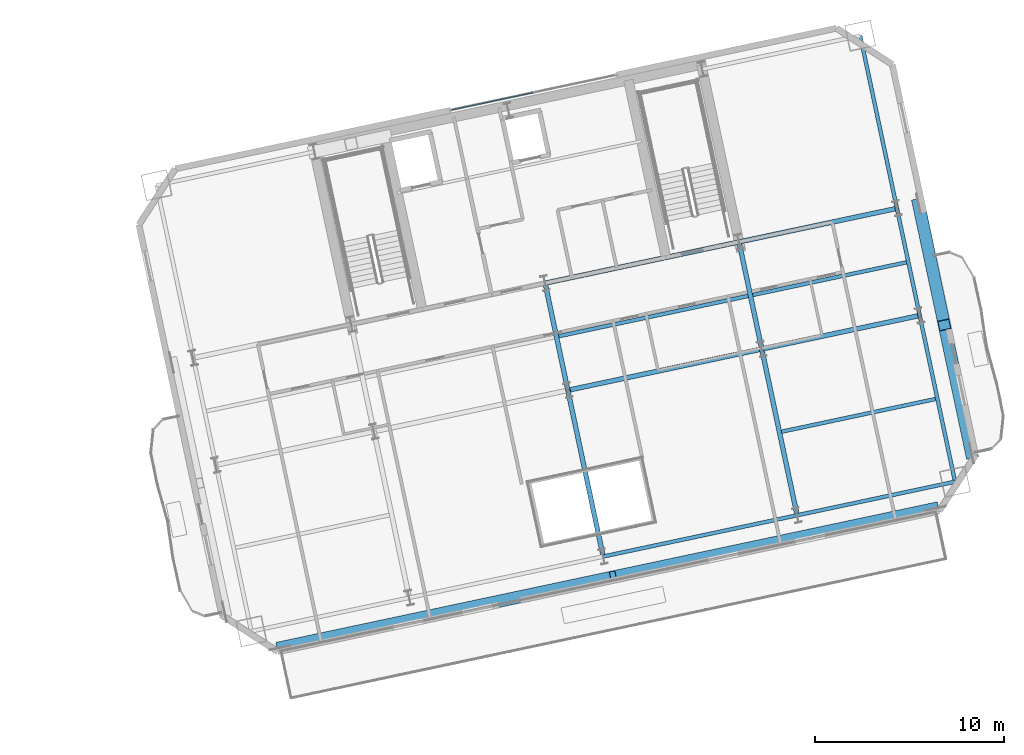
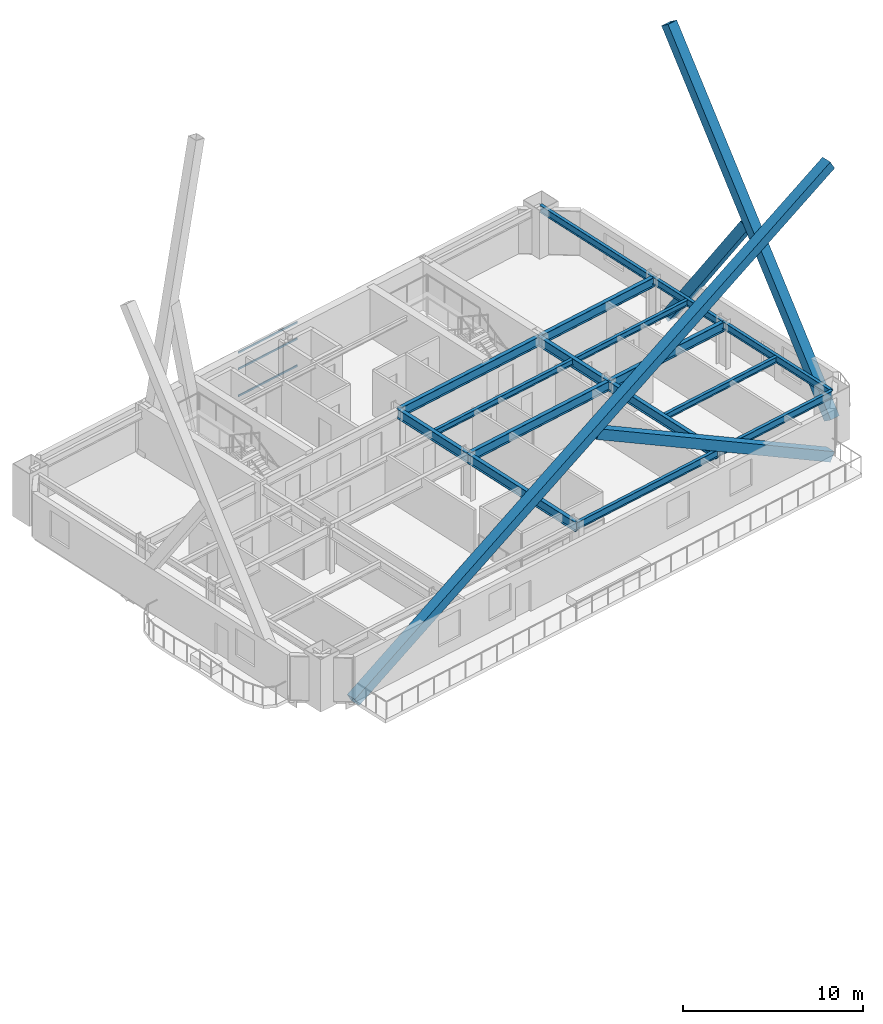
# One storey, part 7 of 22: 16 beams, 7 members, 1 element without a shape of its own.
"""IFC4 building model written with IfcOpenShell, lengths in metres."""

from ifc_helpers import new_model, si_unit, direction, frame, origin, origin_2d, place, context, subcontext, project, spatial, hollow_rectangle, i_section, extrude, material, layer, layer_set, material_profile, profile_set, type_object, element, aggregate, save


model = new_model("IFC4")

# Units and contexts
model_context = context("Model", 3, precision=1e-05, world=origin(), true_north=direction((0.0, 1.0)))
body_context = subcontext(model_context, "Body", "Model", "MODEL_VIEW")
ifc_project = project(units=[si_unit("LENGTHUNIT", "METRE"), si_unit("AREAUNIT", "SQUARE_METRE"), si_unit("VOLUMEUNIT", "CUBIC_METRE"), si_unit("PLANEANGLEUNIT", "RADIAN"), si_unit("MASSUNIT", "GRAM", prefix="KILO")], contexts=[model_context])

# Site, building, storey
site_placement = place(None, origin())
site = spatial("IfcSite", under=ifc_project, at=site_placement, CompositionType="ELEMENT")
building_placement = place(site_placement, origin())
building = spatial("IfcBuilding", under=site, at=building_placement, Name="Haevon Station Towers", CompositionType="ELEMENT")
storey_placement = place(building_placement, frame((0.0, 0.0, 93.300048828125)))
storey = spatial("IfcBuildingStorey", under=building, at=storey_placement, Name="L24", CompositionType="ELEMENT", Elevation=93.300048828125)

# Beams
ifc_material_1 = material(Name="Steel S355", Category="steel")
ifc_material_profile_1 = material_profile(ifc_material_1, i_section(OverallWidth=0.25, OverallDepth=0.64990234375, WebThickness=0.012939453125, FlangeThickness=0.02197265625, at=origin_2d()), Name="H-650x250x13x22")
ifc_profile_set_1 = profile_set([ifc_material_profile_1], Name="Steel S355")
beam_type_1 = type_object("IfcBeamType", Name="BM-G650", PredefinedType="BEAM", material=ifc_profile_set_1)
beam_1_placement = place(storey_placement, frame((110.228759765625, 33.9521484375, 2.724853515625), z_axis=(0.978146794194, 0.207915485254, 0.0), x_axis=(-0.207915485254, 0.978146794194, 0.0)))
element("IfcBeam", 1, at=beam_1_placement, inside=storey, type_object=beam_type_1, Name="BM-T2U-L24-02-03", PredefinedType="BEAM", context=body_context, shape_type="SweptSolid", body=[
    extrude(i_section(OverallWidth=0.25, OverallDepth=0.64990234375, WebThickness=0.012939453125, FlangeThickness=0.02197265625, at=origin_2d()), origin(), (0.0, 0.0, 1.0), 10.5),
])
beam_2_placement = place(storey_placement, frame((120.499267578125, 36.13525390625, 2.724853515625), z_axis=(0.978149560998, 0.207902468287, 0.0), x_axis=(-0.207902468287, 0.978149560998, 0.0)))
element("IfcBeam", 2, at=beam_2_placement, inside=storey, type_object=beam_type_1, Name="BM-T2U-L24-02-04", PredefinedType="BEAM", context=body_context, shape_type="SweptSolid", body=[
    extrude(i_section(OverallWidth=0.25, OverallDepth=0.64990234375, WebThickness=0.012939453125, FlangeThickness=0.02197265625, at=origin_2d()), origin(), (0.0, 0.0, 1.0), 8.550048828125),
])
beam_3_placement = place(storey_placement, frame((109.02294921875, 39.62548828125, 2.724853515625), z_axis=(0.978146794194, 0.207915485254, 0.0), x_axis=(-0.207915485254, 0.978146794194, 0.0)))
element("IfcBeam", 3, at=beam_3_placement, inside=storey, type_object=beam_type_1, Name="BM-T2U-L24-03-03", PredefinedType="BEAM", context=body_context, shape_type="SweptSolid", body=[
    extrude(i_section(OverallWidth=0.25, OverallDepth=0.64990234375, WebThickness=0.012939453125, FlangeThickness=0.02197265625, at=origin_2d()), origin(), (0.0, 0.0, 1.0), 10.5),
])
beam_4_placement = place(storey_placement, frame((119.29345703125, 41.80859375, 2.724853515625), z_axis=(0.978148326739, 0.2079082752, 0.0), x_axis=(-0.2079082752, 0.978148326739, 0.0)))
element("IfcBeam", 4, at=beam_4_placement, inside=storey, type_object=beam_type_1, Name="BM-T2U-L24-03-04", PredefinedType="BEAM", context=body_context, shape_type="SweptSolid", body=[
    extrude(i_section(OverallWidth=0.25, OverallDepth=0.64990234375, WebThickness=0.012939453125, FlangeThickness=0.02197265625, at=origin_2d()), origin(), (0.0, 0.0, 1.0), 8.5498046875),
])
beam_5_placement = place(storey_placement, frame((112.10009765625, 25.14892578125, 2.724853515625), z_axis=(-0.207928184753, 0.978144094694, 0.0), x_axis=(-0.978144094694, -0.207928184753, 0.0)))
element("IfcBeam", 5, at=beam_5_placement, inside=storey, type_object=beam_type_1, Name="BM-T2V-L24-03-01", PredefinedType="BEAM", context=body_context, shape_type="SweptSolid", body=[
    extrude(i_section(OverallWidth=0.25, OverallDepth=0.64990234375, WebThickness=0.012939453125, FlangeThickness=0.02197265625, at=origin_2d()), origin(), (0.0, 0.0, 1.0), 9.0),
])
beam_6_placement = place(storey_placement, frame((110.228759765625, 33.9521484375, 2.724853515625), z_axis=(-0.207896009217, 0.97815093383, 0.0), x_axis=(-0.97815093383, -0.207896009217, 0.0)))
element("IfcBeam", 6, at=beam_6_placement, inside=storey, type_object=beam_type_1, Name="BM-T2V-L24-03-02", PredefinedType="BEAM", context=body_context, shape_type="SweptSolid", body=[
    extrude(i_section(OverallWidth=0.25, OverallDepth=0.64990234375, WebThickness=0.012939453125, FlangeThickness=0.02197265625, at=origin_2d()), origin(), (0.0, 0.0, 1.0), 5.800048828125),
])
beam_7_placement = place(storey_placement, frame((122.37060546875, 27.33203125, 2.724853515625), z_axis=(-0.207928184753, 0.978144094694, 0.0), x_axis=(-0.978144094694, -0.207928184753, 0.0)))
element("IfcBeam", 7, at=beam_7_placement, inside=storey, type_object=beam_type_1, Name="BM-T2V-L24-04-01", PredefinedType="BEAM", context=body_context, shape_type="SweptSolid", body=[
    extrude(i_section(OverallWidth=0.25, OverallDepth=0.64990234375, WebThickness=0.012939453125, FlangeThickness=0.02197265625, at=origin_2d()), origin(), (0.0, 0.0, 1.0), 9.0),
])
beam_8_placement = place(storey_placement, frame((120.499267578125, 36.13525390625, 2.724853515625), z_axis=(-0.207896009217, 0.97815093383, 0.0), x_axis=(-0.97815093383, -0.207896009217, 0.0)))
element("IfcBeam", 8, at=beam_8_placement, inside=storey, type_object=beam_type_1, Name="BM-T2V-L24-04-02", PredefinedType="BEAM", context=body_context, shape_type="SweptSolid", body=[
    extrude(i_section(OverallWidth=0.25, OverallDepth=0.64990234375, WebThickness=0.012939453125, FlangeThickness=0.02197265625, at=origin_2d()), origin(), (0.0, 0.0, 1.0), 5.800048828125),
])
ifc_material_profile_2 = material_profile(ifc_material_1, i_section(OverallWidth=0.199951171875, OverallDepth=0.39990234375, WebThickness=0.008056640625, FlangeThickness=0.012939453125, at=origin_2d()), Name="H-400x200x8x13")
ifc_profile_set_2 = profile_set([ifc_material_profile_2], Name="Steel S355")
beam_type_2 = type_object("IfcBeamType", Name="BM-J400", PredefinedType="JOIST", material=ifc_profile_set_2)
beam_9_placement = place(storey_placement, frame((121.54248046875, 31.756591796875, 2.849853515625), z_axis=(0.978146782292, 0.207915541247, 0.0), x_axis=(-0.207915541247, 0.978146782292, 0.0)))
element("IfcBeam", 9, at=beam_9_placement, inside=storey, type_object=beam_type_2, Name="BM-T2J-L24-01-04", PredefinedType="JOIST", context=body_context, shape_type="SweptSolid", body=[
    extrude(i_section(OverallWidth=0.199951171875, OverallDepth=0.39990234375, WebThickness=0.008056640625, FlangeThickness=0.012939453125, at=origin_2d()), origin(), (0.0, 0.0, 1.0), 8.330078125),
])
beam_10_placement = place(storey_placement, frame((109.7333984375, 36.811767578125, 2.849853515625), z_axis=(0.978150339653, 0.207898804801, 0.0), x_axis=(-0.207898804801, 0.978150339653, 0.0)))
element("IfcBeam", 10, at=beam_10_placement, inside=storey, type_object=beam_type_2, Name="BM-T2J-L24-02-03", PredefinedType="JOIST", context=body_context, shape_type="SweptSolid", body=[
    extrude(i_section(OverallWidth=0.199951171875, OverallDepth=0.39990234375, WebThickness=0.008056640625, FlangeThickness=0.012939453125, at=origin_2d()), origin(), (0.0, 0.0, 1.0), 10.280029296875),
])
beam_11_placement = place(storey_placement, frame((120.00390625, 38.994873046875, 2.849853515625), z_axis=(0.978146782292, 0.207915541247, 0.0), x_axis=(-0.207915541247, 0.978146782292, 0.0)))
element("IfcBeam", 11, at=beam_11_placement, inside=storey, type_object=beam_type_2, Name="BM-T2J-L24-02-04", PredefinedType="JOIST", context=body_context, shape_type="SweptSolid", body=[
    extrude(i_section(OverallWidth=0.199951171875, OverallDepth=0.39990234375, WebThickness=0.008056640625, FlangeThickness=0.012939453125, at=origin_2d()), origin(), (0.0, 0.0, 1.0), 8.330078125),
])
ifc_material_profile_3 = material_profile(ifc_material_1, i_section(OverallWidth=0.199951171875, OverallDepth=0.5, WebThickness=0.010009765625, FlangeThickness=0.01611328125, at=origin_2d()), Name="H-500x200x10x16")
ifc_profile_set_3 = profile_set([ifc_material_profile_3], Name="Steel S355")
beam_type_3 = type_object("IfcBeamType", Name="BM-SP500", PredefinedType="SPANDREL", material=ifc_profile_set_3)
beam_12_placement = place(storey_placement, frame((112.10009765625, 25.14892578125, 2.800048828125), z_axis=(0.978146794194, 0.207915485254, 0.0), x_axis=(-0.207915485254, 0.978146794194, 0.0)))
element("IfcBeam", 12, at=beam_12_placement, inside=storey, type_object=beam_type_3, Name="BM-T2U-L24-01-03", PredefinedType="SPANDREL", context=body_context, shape_type="SweptSolid", body=[
    extrude(i_section(OverallWidth=0.199951171875, OverallDepth=0.5, WebThickness=0.010009765625, FlangeThickness=0.01611328125, at=origin_2d()), origin(), (0.0, 0.0, 1.0), 10.5),
])
beam_13_placement = place(storey_placement, frame((122.37060546875, 27.33203125, 2.800048828125), z_axis=(0.978148326739, 0.2079082752, 0.0), x_axis=(-0.2079082752, 0.978148326739, 0.0)))
element("IfcBeam", 13, at=beam_13_placement, inside=storey, type_object=beam_type_3, Name="BM-T2U-L24-01-04", PredefinedType="SPANDREL", context=body_context, shape_type="SweptSolid", body=[
    extrude(i_section(OverallWidth=0.199951171875, OverallDepth=0.5, WebThickness=0.010009765625, FlangeThickness=0.01611328125, at=origin_2d()), origin(), (0.0, 0.0, 1.0), 8.5498046875),
])
beam_14_placement = place(storey_placement, frame((130.733642578125, 29.109619140625, 2.800048828125), z_axis=(-0.20790223038, 0.978149611564, 0.0), x_axis=(-0.978149611564, -0.20790223038, 0.0)))
element("IfcBeam", 14, at=beam_14_placement, inside=storey, type_object=beam_type_3, Name="BM-T2V-L24-05-01", PredefinedType="SPANDREL", context=body_context, shape_type="SweptSolid", body=[
    extrude(i_section(OverallWidth=0.199951171875, OverallDepth=0.5, WebThickness=0.010009765625, FlangeThickness=0.01611328125, at=origin_2d()), origin(), (0.0, 0.0, 1.0), 8.999755859375),
])
beam_15_placement = place(storey_placement, frame((128.862548828125, 37.912841796875, 2.800048828125), z_axis=(-0.207936282142, 0.978142373363, 0.0), x_axis=(-0.978142373363, -0.207936282142, 0.0)))
element("IfcBeam", 15, at=beam_15_placement, inside=storey, type_object=beam_type_3, Name="BM-T2V-L24-05-02", PredefinedType="SPANDREL", context=body_context, shape_type="SweptSolid", body=[
    extrude(i_section(OverallWidth=0.199951171875, OverallDepth=0.5, WebThickness=0.010009765625, FlangeThickness=0.01611328125, at=origin_2d()), origin(), (0.0, 0.0, 1.0), 5.800048828125),
])
beam_16_placement = place(storey_placement, frame((127.656494140625, 43.586181640625, 2.800048828125), z_axis=(-0.207897167074, 0.978150687738, 0.0), x_axis=(-0.978150687738, -0.207897167074, 0.0)))
element("IfcBeam", 16, at=beam_16_placement, inside=storey, type_object=beam_type_3, Name="BM-T2V-L24-05-03", PredefinedType="SPANDREL", context=body_context, shape_type="SweptSolid", body=[
    extrude(i_section(OverallWidth=0.199951171875, OverallDepth=0.5, WebThickness=0.010009765625, FlangeThickness=0.01611328125, at=origin_2d()), origin(), (0.0, 0.0, 1.0), 9.35009765625),
])

# Curtain wall, members
ifc_material_2 = material(Name="Anodised aluminium and Low-E double glazing", Category="aluminium")
ifc_layer = layer(ifc_material_2, 0.179931640625)
ifc_layer_set = layer_set([ifc_layer], Name="Anodised aluminium and Low-E double glazing")
curtain_wall_type = type_object("IfcCurtainWallType", Name="CW-SYS5", PredefinedType="NOTDEFINED", material=ifc_layer_set)
curtain_wall_placement = place(storey_placement, origin())
curtain_wall = element("IfcCurtainWall", 17, at=curtain_wall_placement, inside=storey, type_object=curtain_wall_type, Name="L24 Curtain Wall CW-T2-L24-N", PredefinedType="NOTDEFINED")
ifc_material_3 = material(Name="Anodised aluminium 6063-T6", Category="aluminium")
ifc_material_profile_4 = material_profile(ifc_material_3, hollow_rectangle(XDim=0.06005859375, YDim=0.1201171875, WallThickness=0.0029296875, at=origin_2d()), Name="CWT-120x60x3")
ifc_profile_set_4 = profile_set([ifc_material_profile_4], Name="Anodised aluminium 6063-T6")
member_type_1 = type_object("IfcMemberType", Name="CWT-120", PredefinedType="USERDEFINED", material=ifc_profile_set_4)
member_1_placement = place(storey_placement, frame((104.068115234375, 48.795654296875, 0.030029296875), z_axis=(0.978141400356, 0.207940859165, 0.0), x_axis=(-0.207940859165, 0.978141400356, 0.0)))
member_1 = element("IfcMember", 18, at=member_1_placement, type_object=member_type_1, Name="CW-SYS5 transom 1.1", ObjectType="TRANSOM", PredefinedType="USERDEFINED", context=body_context, shape_type="SweptSolid", body=[
    extrude(hollow_rectangle(XDim=0.06005859375, YDim=0.1201171875, WallThickness=0.0029296875, at=origin_2d()), origin(), (0.0, 0.0, 1.0), 4.409912109375),
])
member_2_placement = place(storey_placement, frame((104.068115234375, 48.795654296875, 1.85986328125), z_axis=(0.978141400356, 0.207940859165, 0.0), x_axis=(-0.207940859165, 0.978141400356, 0.0)))
member_2 = element("IfcMember", 19, at=member_2_placement, type_object=member_type_1, Name="CW-SYS5 transom 1.2", ObjectType="TRANSOM", PredefinedType="USERDEFINED", context=body_context, shape_type="SweptSolid", body=[
    extrude(hollow_rectangle(XDim=0.06005859375, YDim=0.1201171875, WallThickness=0.0029296875, at=origin_2d()), origin(), (0.0, 0.0, 1.0), 4.409912109375),
])
member_3_placement = place(storey_placement, frame((104.068115234375, 48.795654296875, 2.969970703125), z_axis=(0.978141400356, 0.207940859165, 0.0), x_axis=(-0.207940859165, 0.978141400356, 0.0)))
member_3 = element("IfcMember", 20, at=member_3_placement, type_object=member_type_1, Name="CW-SYS5 transom 1.3", ObjectType="TRANSOM", PredefinedType="USERDEFINED", context=body_context, shape_type="SweptSolid", body=[
    extrude(hollow_rectangle(XDim=0.06005859375, YDim=0.1201171875, WallThickness=0.0029296875, at=origin_2d()), origin(), (0.0, 0.0, 1.0), 4.409912109375),
])
aggregate(curtain_wall, [member_1, member_2, member_3])

# Members
ifc_material_4 = material(Name="Steel S460", Category="steel")
ifc_material_profile_5 = material_profile(ifc_material_4, hollow_rectangle(XDim=0.64990234375, YDim=0.64990234375, WallThickness=0.031982421875, at=origin_2d()), Name="RHS-650x650x32")
ifc_profile_set_5 = profile_set([ifc_material_profile_5], Name="Steel S460")
member_type_2 = type_object("IfcMemberType", Name="MB-650", PredefinedType="BRACE", material=ifc_profile_set_5)
member_4_placement = place(storey_placement, frame((94.981201171875, 20.31396484375, -0.1201171875), z_axis=(0.854565165623, 0.181643915398, 0.486542768627), x_axis=(-0.20791221875, 0.978147488518, 0.0)))
element("IfcMember", 21, at=member_4_placement, inside=storey, type_object=member_type_2, Name="BR-T2MB-T03-S-D1", PredefinedType="BRACE", context=body_context, shape_type="SweptSolid", body=[
    extrude(hollow_rectangle(XDim=0.64990234375, YDim=0.64990234375, WallThickness=0.031982421875, at=origin_2d()), origin(), (0.0, 0.0, 1.0), 40.6337890625),
])
member_5_placement = place(storey_placement, frame((129.705322265625, 27.69482421875, -0.1201171875), z_axis=(-0.854561307201, -0.18164086411, 0.486550684637), x_axis=(0.207909775323, -0.978148007883, 0.0)))
element("IfcMember", 22, at=member_5_placement, inside=storey, type_object=member_type_2, Name="BR-T2MB-T03-S-D2A", PredefinedType="BRACE", context=body_context, shape_type="SweptSolid", body=[
    extrude(hollow_rectangle(XDim=0.64990234375, YDim=0.64990234375, WallThickness=0.031982421875, at=origin_2d()), origin(), (0.0, 0.0, 1.0), 19.979736328125),
])
member_6_placement = place(storey_placement, frame((131.60791015625, 30.62451171875, -0.1201171875), z_axis=(-0.117249071284, 0.551591764681, 0.825832416668), x_axis=(-0.978145933721, -0.207919533344, 0.0)))
element("IfcMember", 23, at=member_6_placement, inside=storey, type_object=member_type_2, Name="BR-T2MB-T03-E-D1", PredefinedType="BRACE", context=body_context, shape_type="SweptSolid", body=[
    extrude(hollow_rectangle(XDim=0.64990234375, YDim=0.64990234375, WallThickness=0.031982421875, at=origin_2d()), origin(), (0.0, 0.0, 1.0), 23.939453125),
])
member_7_placement = place(storey_placement, frame((128.801025390625, 43.829345703125, -0.1201171875), z_axis=(0.117256483499, -0.551590280889, 0.825832355327), x_axis=(0.978143146675, 0.207932644413, 0.0)))
element("IfcMember", 24, at=member_7_placement, inside=storey, type_object=member_type_2, Name="BR-T2MB-T03-E-D2A", PredefinedType="BRACE", context=body_context, shape_type="SweptSolid", body=[
    extrude(hollow_rectangle(XDim=0.64990234375, YDim=0.64990234375, WallThickness=0.031982421875, at=origin_2d()), origin(), (0.0, 0.0, 1.0), 11.6328125),
])

save(model, "model.ifc")
